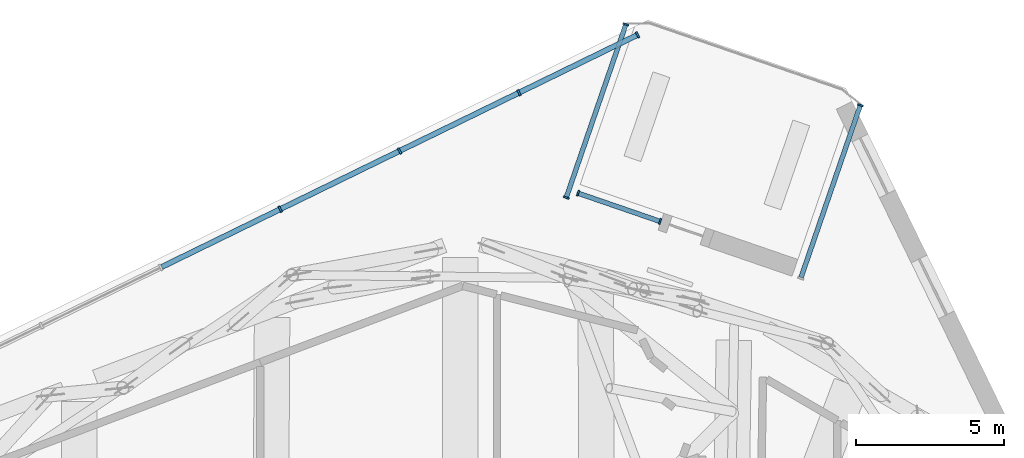
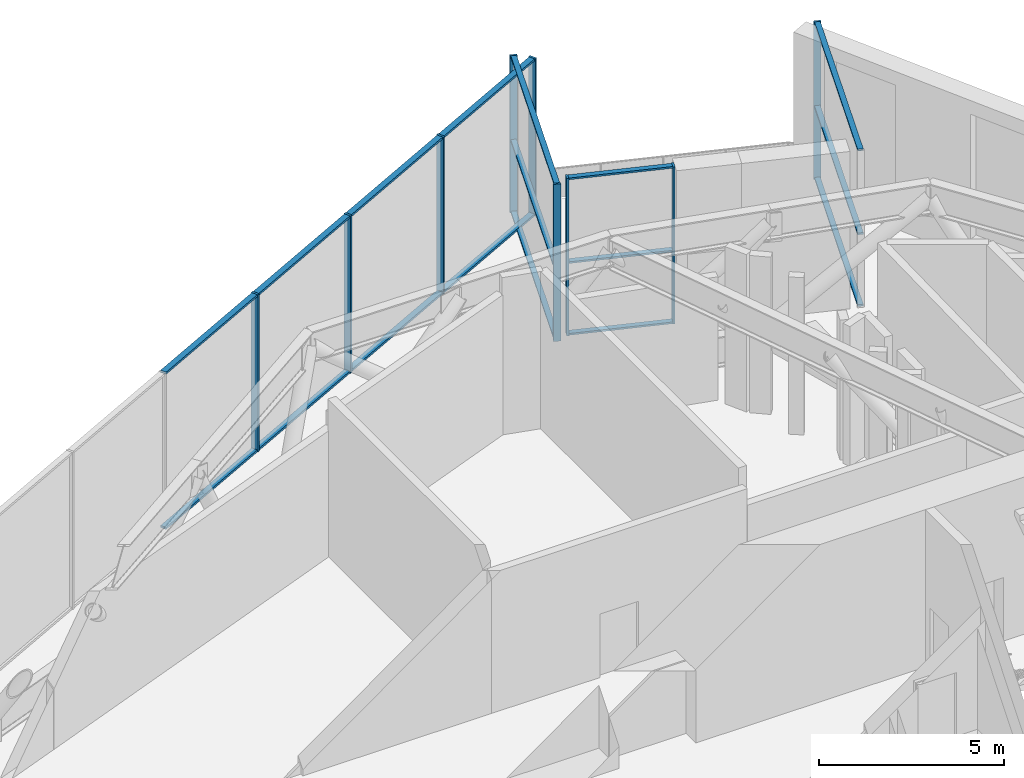
# One storey, part 8 of 21: 26 members, 4 elements without a shape of their own.
"""IFC4 building model written with IfcOpenShell, lengths in metres."""

from ifc_helpers import new_model, si_unit, direction, frame, origin, origin_2d, place, context, subcontext, project, spatial, rectangle, extrude, material, material_profile, profile_set, type_object, element, aggregate, save


model = new_model("IFC4")

# Units and contexts
model_context = context("Model", 3, precision=1e-05, world=origin(), true_north=direction((0.0, 1.0)))
body_context = subcontext(model_context, "Body", "Model", "MODEL_VIEW")
ifc_project = project(units=[si_unit("LENGTHUNIT", "METRE"), si_unit("AREAUNIT", "SQUARE_METRE"), si_unit("VOLUMEUNIT", "CUBIC_METRE"), si_unit("PLANEANGLEUNIT", "RADIAN"), si_unit("MASSUNIT", "GRAM", prefix="KILO")], contexts=[model_context])

# Site, building, storey
site_placement = place(None, origin())
site = spatial("IfcSite", under=ifc_project, at=site_placement, CompositionType="ELEMENT")
building_placement = place(site_placement, origin())
building = spatial("IfcBuilding", under=site, at=building_placement, Name="Dilmun Exchange Tower", CompositionType="ELEMENT")
storey_placement = place(building_placement, frame((0.0, 0.0, 130.10009765625)))
storey = spatial("IfcBuildingStorey", under=building, at=storey_placement, Name="L30", CompositionType="ELEMENT", Elevation=130.10009765625)

# Curtain wall, member
ifc_material_1 = material(Name="Anodised aluminium and clear glass", Category="aluminium")
curtain_wall_type_1 = type_object("IfcCurtainWallType", Name="Garden corner glazing", PredefinedType="NOTDEFINED", material=ifc_material_1)
curtain_wall_1_placement = place(storey_placement, origin())
curtain_wall_1 = element("IfcCurtainWall", 1, at=curtain_wall_1_placement, inside=storey, type_object=curtain_wall_type_1, Name="Garden corner glazing run GC1.1", PredefinedType="NOTDEFINED")
ifc_material_2 = material(Name="Anodised aluminium", Category="aluminium")
ifc_material_profile_1 = material_profile(ifc_material_2, rectangle(XDim=0.199951171875, YDim=0.06005859375, at=origin_2d()), Name="AL 60x200")
ifc_profile_set_1 = profile_set([ifc_material_profile_1], Name="Anodised aluminium")
member_type_1 = type_object("IfcMemberType", Name="Garden corner glazing mullion 60 x 200", PredefinedType="MULLION", material=ifc_profile_set_1)
member_1_placement = place(storey_placement, frame((17.374267578125, 33.248046875, 0.0), z_axis=(0.0, 0.0, 1.0), x_axis=(0.945520217486, -0.325563386031, 0.0)))
member_1 = element("IfcMember", 2, at=member_1_placement, type_object=member_type_1, Name="GC1.1 mullion 1", PredefinedType="MULLION", context=body_context, shape_type="SweptSolid", body=[
    extrude(rectangle(XDim=0.199951171875, YDim=0.06005859375, at=origin_2d()), origin(), (0.0, 0.0, 1.0), 5.199951171875),
])

# Curtain wall, members
curtain_wall_2_placement = place(storey_placement, origin())
curtain_wall_2 = element("IfcCurtainWall", 3, at=curtain_wall_2_placement, inside=storey, type_object=curtain_wall_type_1, Name="Garden corner glazing run GC2.3", PredefinedType="NOTDEFINED")
member_2_placement = place(storey_placement, frame((10.60791015625, 29.320556640625, 0.0), z_axis=(0.0, 0.0, 1.0), x_axis=(-0.32558648851, -0.94551226248, 0.0)))
member_2 = element("IfcMember", 4, at=member_2_placement, type_object=member_type_1, Name="GC2.3 mullion 1", PredefinedType="MULLION", context=body_context, shape_type="SweptSolid", body=[
    extrude(rectangle(XDim=0.199951171875, YDim=0.06005859375, at=origin_2d()), origin(), (0.0, 0.0, 1.0), 5.199951171875),
])
member_3_placement = place(storey_placement, frame((7.83837890625, 30.274169921875, 0.0), z_axis=(0.0, 0.0, 1.0), x_axis=(-0.32558648851, -0.94551226248, 0.0)))
member_3 = element("IfcMember", 5, at=member_3_placement, type_object=member_type_1, Name="GC2.3 mullion 2", PredefinedType="MULLION", context=body_context, shape_type="SweptSolid", body=[
    extrude(rectangle(XDim=0.199951171875, YDim=0.06005859375, at=origin_2d()), origin(), (0.0, 0.0, 1.0), 5.199951171875),
])

curtain_wall_3_placement = place(storey_placement, origin())
curtain_wall_3 = element("IfcCurtainWall", 6, at=curtain_wall_3_placement, inside=storey, type_object=curtain_wall_type_1, Name="Garden corner glazing run GC3.1", PredefinedType="NOTDEFINED")
member_4_placement = place(storey_placement, frame((7.4384765625, 30.126220703125, 0.0), z_axis=(0.0, 0.0, 1.0), x_axis=(-0.945520217486, 0.325563386031, 0.0)))
member_4 = element("IfcMember", 7, at=member_4_placement, type_object=member_type_1, Name="GC3.1 mullion 1", PredefinedType="MULLION", context=body_context, shape_type="SweptSolid", body=[
    extrude(rectangle(XDim=0.199951171875, YDim=0.06005859375, at=origin_2d()), origin(), (0.0, 0.0, 1.0), 5.199951171875),
])
member_5_placement = place(storey_placement, frame((9.45263671875, 35.9755859375, 0.0), z_axis=(0.0, 0.0, 1.0), x_axis=(-0.945520217486, 0.325563386031, 0.0)))
member_5 = element("IfcMember", 8, at=member_5_placement, type_object=member_type_1, Name="GC3.1 mullion 2", PredefinedType="MULLION", context=body_context, shape_type="SweptSolid", body=[
    extrude(rectangle(XDim=0.199951171875, YDim=0.06005859375, at=origin_2d()), origin(), (0.0, 0.0, 1.0), 5.199951171875),
])

# Member
ifc_material_profile_2 = material_profile(ifc_material_2, rectangle(XDim=0.159912109375, YDim=0.06005859375, at=origin_2d()), Name="AL 60x160")
ifc_profile_set_2 = profile_set([ifc_material_profile_2], Name="Anodised aluminium")
member_type_2 = type_object("IfcMemberType", Name="Garden corner glazing transom 60 x 160", PredefinedType="USERDEFINED", material=ifc_profile_set_2)
member_6_placement = place(storey_placement, frame((17.364501953125, 33.219482421875, 0.02978515625), z_axis=(-0.325549736518, -0.945524917204, 0.0), x_axis=(0.945524917204, -0.325549736518, 0.0)))
member_6 = element("IfcMember", 9, at=member_6_placement, type_object=member_type_2, Name="GC1.1 transom 1.1", ObjectType="TRANSOM", PredefinedType="USERDEFINED", context=body_context, shape_type="SweptSolid", body=[
    extrude(rectangle(XDim=0.159912109375, YDim=0.06005859375, at=origin_2d()), origin(), (0.0, 0.0, 1.0), 6.126220703125),
])

member_7_placement = place(storey_placement, frame((17.364501953125, 33.219482421875, 2.39990234375), z_axis=(-0.325549736518, -0.945524917204, 0.0), x_axis=(0.945524917204, -0.325549736518, 0.0)))
member_7 = element("IfcMember", 10, at=member_7_placement, type_object=member_type_2, Name="GC1.1 transom 1.2", ObjectType="TRANSOM", PredefinedType="USERDEFINED", context=body_context, shape_type="SweptSolid", body=[
    extrude(rectangle(XDim=0.159912109375, YDim=0.06005859375, at=origin_2d()), origin(), (0.0, 0.0, 1.0), 6.126220703125),
])

member_8_placement = place(storey_placement, frame((17.364501953125, 33.219482421875, 5.169921875), z_axis=(-0.325549736518, -0.945524917204, 0.0), x_axis=(0.945524917204, -0.325549736518, 0.0)))
member_8 = element("IfcMember", 11, at=member_8_placement, type_object=member_type_2, Name="GC1.1 transom 1.3", ObjectType="TRANSOM", PredefinedType="USERDEFINED", context=body_context, shape_type="SweptSolid", body=[
    extrude(rectangle(XDim=0.159912109375, YDim=0.06005859375, at=origin_2d()), origin(), (0.0, 0.0, 1.0), 6.126220703125),
])

aggregate(curtain_wall_1, [member_1, member_6, member_7, member_8])

member_9_placement = place(storey_placement, frame((10.57958984375, 29.330322265625, 0.02978515625), z_axis=(-0.94551396801, 0.32558153556, 0.0), x_axis=(-0.32558153556, -0.94551396801, 0.0)))
member_9 = element("IfcMember", 12, at=member_9_placement, type_object=member_type_2, Name="GC2.3 transom 1.1", ObjectType="TRANSOM", PredefinedType="USERDEFINED", context=body_context, shape_type="SweptSolid", body=[
    extrude(rectangle(XDim=0.159912109375, YDim=0.06005859375, at=origin_2d()), origin(), (0.0, 0.0, 1.0), 2.868896484375),
])

member_10_placement = place(storey_placement, frame((10.57958984375, 29.330322265625, 2.39990234375), z_axis=(-0.94551396801, 0.32558153556, 0.0), x_axis=(-0.32558153556, -0.94551396801, 0.0)))
member_10 = element("IfcMember", 13, at=member_10_placement, type_object=member_type_2, Name="GC2.3 transom 1.2", ObjectType="TRANSOM", PredefinedType="USERDEFINED", context=body_context, shape_type="SweptSolid", body=[
    extrude(rectangle(XDim=0.159912109375, YDim=0.06005859375, at=origin_2d()), origin(), (0.0, 0.0, 1.0), 2.868896484375),
])

member_11_placement = place(storey_placement, frame((10.57958984375, 29.330322265625, 5.169921875), z_axis=(-0.94551396801, 0.32558153556, 0.0), x_axis=(-0.32558153556, -0.94551396801, 0.0)))
member_11 = element("IfcMember", 14, at=member_11_placement, type_object=member_type_2, Name="GC2.3 transom 1.3", ObjectType="TRANSOM", PredefinedType="USERDEFINED", context=body_context, shape_type="SweptSolid", body=[
    extrude(rectangle(XDim=0.159912109375, YDim=0.06005859375, at=origin_2d()), origin(), (0.0, 0.0, 1.0), 2.868896484375),
])

aggregate(curtain_wall_2, [member_2, member_3, member_9, member_10, member_11])

member_12_placement = place(storey_placement, frame((7.4482421875, 30.154541015625, 0.02978515625), z_axis=(0.325573096467, 0.945516873914, 0.0), x_axis=(-0.945516873914, 0.325573096467, 0.0)))
member_12 = element("IfcMember", 15, at=member_12_placement, type_object=member_type_2, Name="GC3.1 transom 1.1", ObjectType="TRANSOM", PredefinedType="USERDEFINED", context=body_context, shape_type="SweptSolid", body=[
    extrude(rectangle(XDim=0.159912109375, YDim=0.06005859375, at=origin_2d()), origin(), (0.0, 0.0, 1.0), 6.12646484375),
])

member_13_placement = place(storey_placement, frame((7.4482421875, 30.154541015625, 2.39990234375), z_axis=(0.325573096467, 0.945516873914, 0.0), x_axis=(-0.945516873914, 0.325573096467, 0.0)))
member_13 = element("IfcMember", 16, at=member_13_placement, type_object=member_type_2, Name="GC3.1 transom 1.2", ObjectType="TRANSOM", PredefinedType="USERDEFINED", context=body_context, shape_type="SweptSolid", body=[
    extrude(rectangle(XDim=0.159912109375, YDim=0.06005859375, at=origin_2d()), origin(), (0.0, 0.0, 1.0), 6.12646484375),
])

member_14_placement = place(storey_placement, frame((7.4482421875, 30.154541015625, 5.169921875), z_axis=(0.325573096467, 0.945516873914, 0.0), x_axis=(-0.945516873914, 0.325573096467, 0.0)))
member_14 = element("IfcMember", 17, at=member_14_placement, type_object=member_type_2, Name="GC3.1 transom 1.3", ObjectType="TRANSOM", PredefinedType="USERDEFINED", context=body_context, shape_type="SweptSolid", body=[
    extrude(rectangle(XDim=0.159912109375, YDim=0.06005859375, at=origin_2d()), origin(), (0.0, 0.0, 1.0), 6.12646484375),
])

aggregate(curtain_wall_3, [member_4, member_5, member_12, member_13, member_14])

# Curtain wall, members
curtain_wall_type_2 = type_object("IfcCurtainWallType", Name="Sky lobby glazing", PredefinedType="NOTDEFINED", material=ifc_material_1)
curtain_wall_4_placement = place(storey_placement, origin())
curtain_wall_4 = element("IfcCurtainWall", 18, at=curtain_wall_4_placement, inside=storey, type_object=curtain_wall_type_2, Name="Sky lobby glazing run SL4", PredefinedType="NOTDEFINED")
ifc_material_profile_3 = material_profile(ifc_material_2, rectangle(XDim=0.219970703125, YDim=0.070068359375, at=origin_2d()), Name="AL 70x220")
ifc_profile_set_3 = profile_set([ifc_material_profile_3], Name="Anodised aluminium")
member_type_3 = type_object("IfcMemberType", Name="Sky lobby glazing mullion 70 x 220", PredefinedType="MULLION", material=ifc_profile_set_3)
member_15_placement = place(storey_placement, frame((9.84619140625, 35.621337890625, 0.0), z_axis=(0.0, 0.0, 1.0), x_axis=(0.438371319314, -0.898793962153, 0.0)))
member_15 = element("IfcMember", 19, at=member_15_placement, type_object=member_type_3, Name="SL4 mullion 1", PredefinedType="MULLION", context=body_context, shape_type="SweptSolid", body=[
    extrude(rectangle(XDim=0.219970703125, YDim=0.070068359375, at=origin_2d()), origin(), (0.0, 0.0, 1.0), 5.199951171875),
])
member_16_placement = place(storey_placement, frame((5.84326171875, 33.6689453125, 0.0), z_axis=(0.0, 0.0, 1.0), x_axis=(0.438371319314, -0.898793962153, 0.0)))
member_16 = element("IfcMember", 20, at=member_16_placement, type_object=member_type_3, Name="SL4 mullion 2", PredefinedType="MULLION", context=body_context, shape_type="SweptSolid", body=[
    extrude(rectangle(XDim=0.219970703125, YDim=0.070068359375, at=origin_2d()), origin(), (0.0, 0.0, 1.0), 5.199951171875),
])
member_17_placement = place(storey_placement, frame((1.808837890625, 31.701171875, 0.0), z_axis=(0.0, 0.0, 1.0), x_axis=(0.438371319314, -0.898793962153, 0.0)))
member_17 = element("IfcMember", 21, at=member_17_placement, type_object=member_type_3, Name="SL4 mullion 3", PredefinedType="MULLION", context=body_context, shape_type="SweptSolid", body=[
    extrude(rectangle(XDim=0.219970703125, YDim=0.070068359375, at=origin_2d()), origin(), (0.0, 0.0, 1.0), 5.199951171875),
])
member_18_placement = place(storey_placement, frame((-2.2255859375, 29.733642578125, 0.0), z_axis=(0.0, 0.0, 1.0), x_axis=(0.438371319314, -0.898793962153, 0.0)))
member_18 = element("IfcMember", 22, at=member_18_placement, type_object=member_type_3, Name="SL4 mullion 4", PredefinedType="MULLION", context=body_context, shape_type="SweptSolid", body=[
    extrude(rectangle(XDim=0.219970703125, YDim=0.070068359375, at=origin_2d()), origin(), (0.0, 0.0, 1.0), 5.199951171875),
])
ifc_material_profile_4 = material_profile(ifc_material_2, rectangle(XDim=0.179931640625, YDim=0.070068359375, at=origin_2d()), Name="AL 70x180")
ifc_profile_set_4 = profile_set([ifc_material_profile_4], Name="Anodised aluminium")
member_type_4 = type_object("IfcMemberType", Name="Sky lobby glazing transom 70 x 180", PredefinedType="USERDEFINED", material=ifc_profile_set_4)
member_19_placement = place(storey_placement, frame((9.814697265625, 35.60595703125, 0.034912109375), z_axis=(-0.898794672011, -0.438369863887, 0.0), x_axis=(0.438369863887, -0.898794672011, 0.0)))
member_19 = element("IfcMember", 23, at=member_19_placement, type_object=member_type_4, Name="SL4 transom 1.1", ObjectType="TRANSOM", PredefinedType="USERDEFINED", context=body_context, shape_type="SweptSolid", body=[
    extrude(rectangle(XDim=0.179931640625, YDim=0.070068359375, at=origin_2d()), origin(), (0.0, 0.0, 1.0), 4.383544921875),
])
member_20_placement = place(storey_placement, frame((9.814697265625, 35.60595703125, 5.164794921875), z_axis=(-0.898794672011, -0.438369863887, 0.0), x_axis=(0.438369863887, -0.898794672011, 0.0)))
member_20 = element("IfcMember", 24, at=member_20_placement, type_object=member_type_4, Name="SL4 transom 1.2", ObjectType="TRANSOM", PredefinedType="USERDEFINED", context=body_context, shape_type="SweptSolid", body=[
    extrude(rectangle(XDim=0.179931640625, YDim=0.070068359375, at=origin_2d()), origin(), (0.0, 0.0, 1.0), 4.383544921875),
])
member_21_placement = place(storey_placement, frame((5.811767578125, 33.653564453125, 0.034912109375), z_axis=(-0.898792871123, -0.438373556248, 0.0), x_axis=(0.438373556248, -0.898792871123, 0.0)))
member_21 = element("IfcMember", 25, at=member_21_placement, type_object=member_type_4, Name="SL4 transom 2.1", ObjectType="TRANSOM", PredefinedType="USERDEFINED", context=body_context, shape_type="SweptSolid", body=[
    extrude(rectangle(XDim=0.179931640625, YDim=0.070068359375, at=origin_2d()), origin(), (0.0, 0.0, 1.0), 4.418701171875),
])
member_22_placement = place(storey_placement, frame((5.811767578125, 33.653564453125, 5.164794921875), z_axis=(-0.898792871123, -0.438373556248, 0.0), x_axis=(0.438373556248, -0.898792871123, 0.0)))
member_22 = element("IfcMember", 26, at=member_22_placement, type_object=member_type_4, Name="SL4 transom 2.2", ObjectType="TRANSOM", PredefinedType="USERDEFINED", context=body_context, shape_type="SweptSolid", body=[
    extrude(rectangle(XDim=0.179931640625, YDim=0.070068359375, at=origin_2d()), origin(), (0.0, 0.0, 1.0), 4.418701171875),
])
member_23_placement = place(storey_placement, frame((1.77734375, 31.68603515625, 0.034912109375), z_axis=(-0.898771100658, -0.4384181892, 0.0), x_axis=(0.4384181892, -0.898771100658, 0.0)))
member_23 = element("IfcMember", 27, at=member_23_placement, type_object=member_type_4, Name="SL4 transom 3.1", ObjectType="TRANSOM", PredefinedType="USERDEFINED", context=body_context, shape_type="SweptSolid", body=[
    extrude(rectangle(XDim=0.179931640625, YDim=0.070068359375, at=origin_2d()), origin(), (0.0, 0.0, 1.0), 4.418701171875),
])
member_24_placement = place(storey_placement, frame((1.77734375, 31.68603515625, 5.164794921875), z_axis=(-0.898771100658, -0.4384181892, 0.0), x_axis=(0.4384181892, -0.898771100658, 0.0)))
member_24 = element("IfcMember", 28, at=member_24_placement, type_object=member_type_4, Name="SL4 transom 3.2", ObjectType="TRANSOM", PredefinedType="USERDEFINED", context=body_context, shape_type="SweptSolid", body=[
    extrude(rectangle(XDim=0.179931640625, YDim=0.070068359375, at=origin_2d()), origin(), (0.0, 0.0, 1.0), 4.418701171875),
])
member_25_placement = place(storey_placement, frame((-2.257080078125, 29.71826171875, 0.034912109375), z_axis=(-0.898792871123, -0.438373556248, 0.0), x_axis=(0.438373556248, -0.898792871123, 0.0)))
member_25 = element("IfcMember", 29, at=member_25_placement, type_object=member_type_4, Name="SL4 transom 4.1", ObjectType="TRANSOM", PredefinedType="USERDEFINED", context=body_context, shape_type="SweptSolid", body=[
    extrude(rectangle(XDim=0.179931640625, YDim=0.070068359375, at=origin_2d()), origin(), (0.0, 0.0, 1.0), 4.418701171875),
])
member_26_placement = place(storey_placement, frame((-2.257080078125, 29.71826171875, 5.164794921875), z_axis=(-0.898792871123, -0.438373556248, 0.0), x_axis=(0.438373556248, -0.898792871123, 0.0)))
member_26 = element("IfcMember", 30, at=member_26_placement, type_object=member_type_4, Name="SL4 transom 4.2", ObjectType="TRANSOM", PredefinedType="USERDEFINED", context=body_context, shape_type="SweptSolid", body=[
    extrude(rectangle(XDim=0.179931640625, YDim=0.070068359375, at=origin_2d()), origin(), (0.0, 0.0, 1.0), 4.418701171875),
])
aggregate(curtain_wall_4, [member_15, member_16, member_17, member_18, member_19, member_20, member_21, member_22, member_23, member_24, member_25, member_26])

save(model, "model.ifc")
